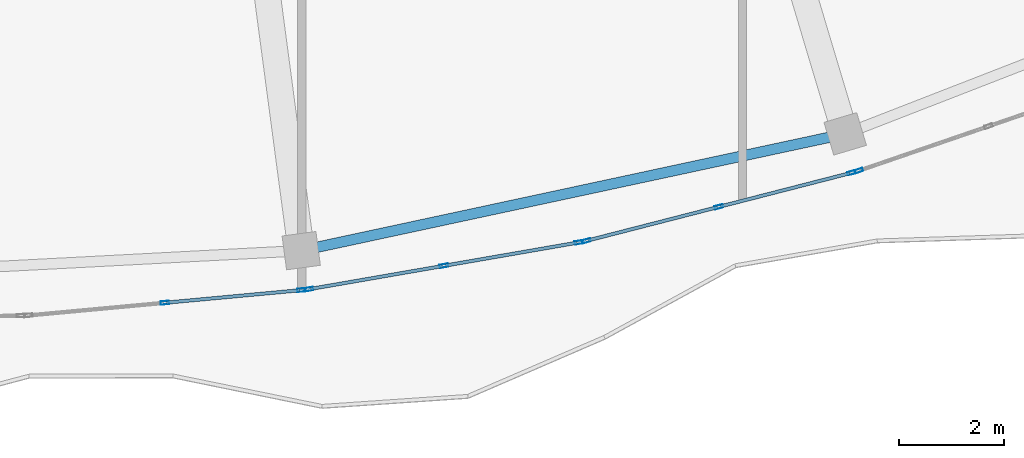
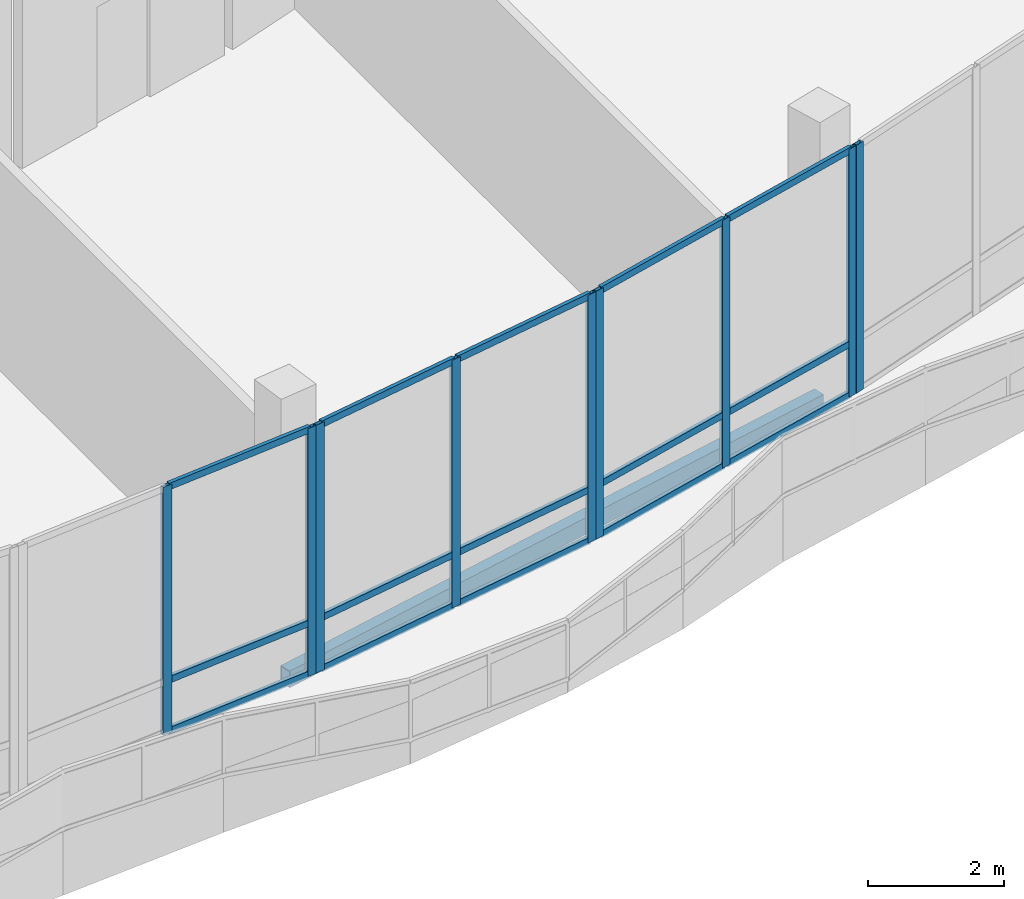
# One storey, part 22 of 155: 24 members, 1 beam, 4 elements without a shape of their own.
"""IFC4 building model written with IfcOpenShell, lengths in metres."""

from ifc_helpers import new_model, si_unit, direction, frame, origin, origin_2d, place, context, subcontext, project, spatial, hollow_rectangle, extrude, material, material_profile, profile_set, type_object, element, aggregate, save


model = new_model("IFC4")

# Units and contexts
model_context = context("Model", 3, precision=1e-05, world=origin(), true_north=direction((0.0, 1.0)))
body_context = subcontext(model_context, "Body", "Model", "MODEL_VIEW")
ifc_project = project(units=[si_unit("LENGTHUNIT", "METRE"), si_unit("AREAUNIT", "SQUARE_METRE"), si_unit("VOLUMEUNIT", "CUBIC_METRE"), si_unit("PLANEANGLEUNIT", "RADIAN"), si_unit("MASSUNIT", "GRAM", prefix="KILO")], contexts=[model_context])

# Site, building, storey
site_placement = place(None, origin())
site = spatial("IfcSite", under=ifc_project, at=site_placement, CompositionType="ELEMENT")
building_placement = place(site_placement, origin())
building = spatial("IfcBuilding", under=site, at=building_placement, Name="Selatvlak General Hospital", CompositionType="ELEMENT")
storey_placement = place(building_placement, frame((0.0, 0.0, 10.199951171875)))
storey = spatial("IfcBuildingStorey", under=building, at=storey_placement, Name="L02", CompositionType="ELEMENT", Elevation=10.199951171875)

# Beam
ifc_material_1 = material(Name="Steel S355", Category="steel")
ifc_material_profile_1 = material_profile(ifc_material_1, hollow_rectangle(XDim=0.199951171875, YDim=0.300048828125, WallThickness=0.011962890625, at=origin_2d()), Name="RHS 300x200x12")
ifc_profile_set_1 = profile_set([ifc_material_profile_1], Name="Steel S355")
beam_type = type_object("IfcBeamType", Name="BM-SP3", PredefinedType="SPANDREL", material=ifc_profile_set_1)
beam_placement = place(storey_placement, frame((64.7890625, 13.3310546875, -0.5048828125), z_axis=(0.977714375037, 0.209939517116, 0.0), x_axis=(-0.209939517116, 0.977714375037, 0.0)))
element("IfcBeam", 1, at=beam_placement, inside=storey, type_object=beam_type, Name="Beam BMR-L02-1142", PredefinedType="SPANDREL", context=body_context, shape_type="SweptSolid", body=[
    extrude(hollow_rectangle(XDim=0.199951171875, YDim=0.300048828125, WallThickness=0.011962890625, at=origin_2d()), origin(), (0.0, 0.0, 1.0), 10.602294921875),
])

# Curtain wall, member
ifc_material_2 = material(Name="Solar-control Low-E double glazing", Category="glass")
curtain_wall_type_1 = type_object("IfcCurtainWallType", Name="CW-CW-02", PredefinedType="USERDEFINED", material=ifc_material_2)
curtain_wall_1_placement = place(storey_placement, origin())
curtain_wall_1 = element("IfcCurtainWall", 2, at=curtain_wall_1_placement, inside=storey, type_object=curtain_wall_type_1, Name="Glazed facade curtain wall CW-L02-0302", ObjectType="UNITISED CURTAIN WALL", PredefinedType="USERDEFINED")
ifc_material_3 = material(Name="Dark anodised aluminium mullion", Category="aluminium")
ifc_material_profile_2 = material_profile(ifc_material_3, hollow_rectangle(XDim=0.06494140625, YDim=0.159912109375, WallThickness=0.00390625, at=origin_2d()), Name="AL-MUL 65x160x4")
ifc_profile_set_2 = profile_set([ifc_material_profile_2], Name="Dark anodised aluminium mullion")
member_type_1 = type_object("IfcMemberType", Name="CWM-01", PredefinedType="MULLION", material=ifc_profile_set_2)
member_1_placement = place(storey_placement, frame((75.415771484375, 14.8544921875, 0.0), z_axis=(0.0, 0.0, 1.0), x_axis=(0.324609481996, -0.945848129563, 0.0)))
member_1 = element("IfcMember", 3, at=member_1_placement, type_object=member_type_1, Name="CW-02 mullion 3", PredefinedType="MULLION", context=body_context, shape_type="SweptSolid", body=[
    extrude(hollow_rectangle(XDim=0.06494140625, YDim=0.159912109375, WallThickness=0.00390625, at=origin_2d()), origin(), (0.0, 0.0, 1.0), 4.4599609375),
])
aggregate(curtain_wall_1, [member_1])

# Curtain wall, members
curtain_wall_type_2 = type_object("IfcCurtainWallType", Name="CW-CW-01", PredefinedType="USERDEFINED", material=ifc_material_2)
curtain_wall_2_placement = place(storey_placement, origin())
curtain_wall_2 = element("IfcCurtainWall", 4, at=curtain_wall_2_placement, inside=storey, type_object=curtain_wall_type_2, Name="Glazed facade curtain wall CW-L02-0303", ObjectType="UNITISED CURTAIN WALL", PredefinedType="USERDEFINED")
member_2_placement = place(storey_placement, frame((75.276611328125, 14.81494140625, 0.0), z_axis=(0.0, 0.0, 1.0), x_axis=(0.248543854938, -0.968620644098, 0.0)))
member_2 = element("IfcMember", 5, at=member_2_placement, type_object=member_type_1, Name="CW-01 mullion 1", PredefinedType="MULLION", context=body_context, shape_type="SweptSolid", body=[
    extrude(hollow_rectangle(XDim=0.06494140625, YDim=0.159912109375, WallThickness=0.00390625, at=origin_2d()), origin(), (0.0, 0.0, 1.0), 4.4599609375),
])
member_3_placement = place(storey_placement, frame((72.74951171875, 14.16650390625, 0.0), z_axis=(0.0, 0.0, 1.0), x_axis=(0.248543854938, -0.968620644098, 0.0)))
member_3 = element("IfcMember", 6, at=member_3_placement, type_object=member_type_1, Name="CW-01 mullion 2", PredefinedType="MULLION", context=body_context, shape_type="SweptSolid", body=[
    extrude(hollow_rectangle(XDim=0.06494140625, YDim=0.159912109375, WallThickness=0.00390625, at=origin_2d()), origin(), (0.0, 0.0, 1.0), 4.4599609375),
])
member_4_placement = place(storey_placement, frame((70.222412109375, 13.51806640625, 0.0), z_axis=(0.0, 0.0, 1.0), x_axis=(0.248543854938, -0.968620644098, 0.0)))
member_4 = element("IfcMember", 7, at=member_4_placement, type_object=member_type_1, Name="CW-01 mullion 3", PredefinedType="MULLION", context=body_context, shape_type="SweptSolid", body=[
    extrude(hollow_rectangle(XDim=0.06494140625, YDim=0.159912109375, WallThickness=0.00390625, at=origin_2d()), origin(), (0.0, 0.0, 1.0), 4.4599609375),
])

curtain_wall_3_placement = place(storey_placement, origin())
curtain_wall_3 = element("IfcCurtainWall", 8, at=curtain_wall_3_placement, inside=storey, type_object=curtain_wall_type_1, Name="Glazed facade curtain wall CW-L02-0304", ObjectType="UNITISED CURTAIN WALL", PredefinedType="USERDEFINED")
member_5_placement = place(storey_placement, frame((70.080078125, 13.488525390625, 0.0), z_axis=(0.0, 0.0, 1.0), x_axis=(0.170838151242, -0.985299104881, 0.0)))
member_5 = element("IfcMember", 9, at=member_5_placement, type_object=member_type_1, Name="CW-02 mullion 1", PredefinedType="MULLION", context=body_context, shape_type="SweptSolid", body=[
    extrude(hollow_rectangle(XDim=0.06494140625, YDim=0.159912109375, WallThickness=0.00390625, at=origin_2d()), origin(), (0.0, 0.0, 1.0), 4.4599609375),
])
member_6_placement = place(storey_placement, frame((67.508056640625, 13.04248046875, 0.0), z_axis=(0.0, 0.0, 1.0), x_axis=(0.170838151242, -0.985299104881, 0.0)))
member_6 = element("IfcMember", 10, at=member_6_placement, type_object=member_type_1, Name="CW-02 mullion 2", PredefinedType="MULLION", context=body_context, shape_type="SweptSolid", body=[
    extrude(hollow_rectangle(XDim=0.06494140625, YDim=0.159912109375, WallThickness=0.00390625, at=origin_2d()), origin(), (0.0, 0.0, 1.0), 4.4599609375),
])
member_7_placement = place(storey_placement, frame((64.93603515625, 12.596435546875, 0.0), z_axis=(0.0, 0.0, 1.0), x_axis=(0.170838151242, -0.985299104881, 0.0)))
member_7 = element("IfcMember", 11, at=member_7_placement, type_object=member_type_1, Name="CW-02 mullion 3", PredefinedType="MULLION", context=body_context, shape_type="SweptSolid", body=[
    extrude(hollow_rectangle(XDim=0.06494140625, YDim=0.159912109375, WallThickness=0.00390625, at=origin_2d()), origin(), (0.0, 0.0, 1.0), 4.4599609375),
])

curtain_wall_4_placement = place(storey_placement, origin())
curtain_wall_4 = element("IfcCurtainWall", 12, at=curtain_wall_4_placement, inside=storey, type_object=curtain_wall_type_2, Name="Glazed facade curtain wall CW-L02-0305", ObjectType="UNITISED CURTAIN WALL", PredefinedType="USERDEFINED")
member_8_placement = place(storey_placement, frame((64.791748046875, 12.5791015625, 0.0), z_axis=(0.0, 0.0, 1.0), x_axis=(0.092291967773, -0.995731988381, 0.0)))
member_8 = element("IfcMember", 13, at=member_8_placement, type_object=member_type_1, Name="CW-01 mullion 1", PredefinedType="MULLION", context=body_context, shape_type="SweptSolid", body=[
    extrude(hollow_rectangle(XDim=0.06494140625, YDim=0.159912109375, WallThickness=0.00390625, at=origin_2d()), origin(), (0.0, 0.0, 1.0), 4.4599609375),
])
member_9_placement = place(storey_placement, frame((62.19140625, 12.337890625, 0.0), z_axis=(0.0, 0.0, 1.0), x_axis=(0.092291967773, -0.995731988381, 0.0)))
member_9 = element("IfcMember", 14, at=member_9_placement, type_object=member_type_1, Name="CW-01 mullion 2", PredefinedType="MULLION", context=body_context, shape_type="SweptSolid", body=[
    extrude(hollow_rectangle(XDim=0.06494140625, YDim=0.159912109375, WallThickness=0.00390625, at=origin_2d()), origin(), (0.0, 0.0, 1.0), 4.4599609375),
])

# Member
ifc_material_profile_3 = material_profile(ifc_material_3, hollow_rectangle(XDim=0.06494140625, YDim=0.1201171875, WallThickness=0.00390625, at=origin_2d()), Name="AL-TRN 65x120x4")
ifc_profile_set_3 = profile_set([ifc_material_profile_3], Name="Dark anodised aluminium mullion")
member_type_2 = type_object("IfcMemberType", Name="CWT-01", PredefinedType="USERDEFINED", material=ifc_profile_set_3)
member_10_placement = place(storey_placement, frame((75.2451171875, 14.806884765625, 0.032470703125), z_axis=(-0.968616485503, -0.248560061176, 0.0), x_axis=(0.248560061176, -0.968616485503, 0.0)))
member_10 = element("IfcMember", 15, at=member_10_placement, type_object=member_type_2, Name="CW-01 transom 1.1", ObjectType="TRANSOM", PredefinedType="USERDEFINED", context=body_context, shape_type="SweptSolid", body=[
    extrude(hollow_rectangle(XDim=0.06494140625, YDim=0.1201171875, WallThickness=0.00390625, at=origin_2d()), origin(), (0.0, 0.0, 1.0), 2.5439453125),
])

member_11_placement = place(storey_placement, frame((75.2451171875, 14.806884765625, 0.949951171875), z_axis=(-0.968616485503, -0.248560061176, 0.0), x_axis=(0.248560061176, -0.968616485503, 0.0)))
member_11 = element("IfcMember", 16, at=member_11_placement, type_object=member_type_2, Name="CW-01 transom 1.2", ObjectType="TRANSOM", PredefinedType="USERDEFINED", context=body_context, shape_type="SweptSolid", body=[
    extrude(hollow_rectangle(XDim=0.06494140625, YDim=0.1201171875, WallThickness=0.00390625, at=origin_2d()), origin(), (0.0, 0.0, 1.0), 2.5439453125),
])

member_12_placement = place(storey_placement, frame((75.2451171875, 14.806884765625, 4.427490234375), z_axis=(-0.968616485503, -0.248560061176, 0.0), x_axis=(0.248560061176, -0.968616485503, 0.0)))
member_12 = element("IfcMember", 17, at=member_12_placement, type_object=member_type_2, Name="CW-01 transom 1.3", ObjectType="TRANSOM", PredefinedType="USERDEFINED", context=body_context, shape_type="SweptSolid", body=[
    extrude(hollow_rectangle(XDim=0.06494140625, YDim=0.1201171875, WallThickness=0.00390625, at=origin_2d()), origin(), (0.0, 0.0, 1.0), 2.5439453125),
])

member_13_placement = place(storey_placement, frame((72.718017578125, 14.158447265625, 0.032470703125), z_axis=(-0.968616485503, -0.248560061176, 0.0), x_axis=(0.248560061176, -0.968616485503, 0.0)))
member_13 = element("IfcMember", 18, at=member_13_placement, type_object=member_type_2, Name="CW-01 transom 2.1", ObjectType="TRANSOM", PredefinedType="USERDEFINED", context=body_context, shape_type="SweptSolid", body=[
    extrude(hollow_rectangle(XDim=0.06494140625, YDim=0.1201171875, WallThickness=0.00390625, at=origin_2d()), origin(), (0.0, 0.0, 1.0), 2.5439453125),
])

member_14_placement = place(storey_placement, frame((72.718017578125, 14.158447265625, 0.949951171875), z_axis=(-0.968616485503, -0.248560061176, 0.0), x_axis=(0.248560061176, -0.968616485503, 0.0)))
member_14 = element("IfcMember", 19, at=member_14_placement, type_object=member_type_2, Name="CW-01 transom 2.2", ObjectType="TRANSOM", PredefinedType="USERDEFINED", context=body_context, shape_type="SweptSolid", body=[
    extrude(hollow_rectangle(XDim=0.06494140625, YDim=0.1201171875, WallThickness=0.00390625, at=origin_2d()), origin(), (0.0, 0.0, 1.0), 2.5439453125),
])

member_15_placement = place(storey_placement, frame((72.718017578125, 14.158447265625, 4.427490234375), z_axis=(-0.968616485503, -0.248560061176, 0.0), x_axis=(0.248560061176, -0.968616485503, 0.0)))
member_15 = element("IfcMember", 20, at=member_15_placement, type_object=member_type_2, Name="CW-01 transom 2.3", ObjectType="TRANSOM", PredefinedType="USERDEFINED", context=body_context, shape_type="SweptSolid", body=[
    extrude(hollow_rectangle(XDim=0.06494140625, YDim=0.1201171875, WallThickness=0.00390625, at=origin_2d()), origin(), (0.0, 0.0, 1.0), 2.5439453125),
])

aggregate(curtain_wall_2, [member_2, member_3, member_4, member_10, member_11, member_12, member_13, member_14, member_15])

member_16_placement = place(storey_placement, frame((70.0478515625, 13.48291015625, 0.032470703125), z_axis=(-0.985299625716, -0.170835147333, 0.0), x_axis=(0.170835147333, -0.985299625716, 0.0)))
member_16 = element("IfcMember", 21, at=member_16_placement, type_object=member_type_2, Name="CW-02 transom 1.1", ObjectType="TRANSOM", PredefinedType="USERDEFINED", context=body_context, shape_type="SweptSolid", body=[
    extrude(hollow_rectangle(XDim=0.06494140625, YDim=0.1201171875, WallThickness=0.00390625, at=origin_2d()), origin(), (0.0, 0.0, 1.0), 2.545166015625),
])

member_17_placement = place(storey_placement, frame((70.0478515625, 13.48291015625, 0.949951171875), z_axis=(-0.985299625716, -0.170835147333, 0.0), x_axis=(0.170835147333, -0.985299625716, 0.0)))
member_17 = element("IfcMember", 22, at=member_17_placement, type_object=member_type_2, Name="CW-02 transom 1.2", ObjectType="TRANSOM", PredefinedType="USERDEFINED", context=body_context, shape_type="SweptSolid", body=[
    extrude(hollow_rectangle(XDim=0.06494140625, YDim=0.1201171875, WallThickness=0.00390625, at=origin_2d()), origin(), (0.0, 0.0, 1.0), 2.545166015625),
])

member_18_placement = place(storey_placement, frame((70.0478515625, 13.48291015625, 4.427490234375), z_axis=(-0.985299625716, -0.170835147333, 0.0), x_axis=(0.170835147333, -0.985299625716, 0.0)))
member_18 = element("IfcMember", 23, at=member_18_placement, type_object=member_type_2, Name="CW-02 transom 1.3", ObjectType="TRANSOM", PredefinedType="USERDEFINED", context=body_context, shape_type="SweptSolid", body=[
    extrude(hollow_rectangle(XDim=0.06494140625, YDim=0.1201171875, WallThickness=0.00390625, at=origin_2d()), origin(), (0.0, 0.0, 1.0), 2.545166015625),
])

member_19_placement = place(storey_placement, frame((67.47607421875, 13.036865234375, 0.032470703125), z_axis=(-0.985302424737, -0.170819003062, 0.0), x_axis=(0.170819003062, -0.985302424737, 0.0)))
member_19 = element("IfcMember", 24, at=member_19_placement, type_object=member_type_2, Name="CW-02 transom 2.1", ObjectType="TRANSOM", PredefinedType="USERDEFINED", context=body_context, shape_type="SweptSolid", body=[
    extrude(hollow_rectangle(XDim=0.06494140625, YDim=0.1201171875, WallThickness=0.00390625, at=origin_2d()), origin(), (0.0, 0.0, 1.0), 2.54541015625),
])

member_20_placement = place(storey_placement, frame((67.47607421875, 13.036865234375, 0.949951171875), z_axis=(-0.985302424737, -0.170819003062, 0.0), x_axis=(0.170819003062, -0.985302424737, 0.0)))
member_20 = element("IfcMember", 25, at=member_20_placement, type_object=member_type_2, Name="CW-02 transom 2.2", ObjectType="TRANSOM", PredefinedType="USERDEFINED", context=body_context, shape_type="SweptSolid", body=[
    extrude(hollow_rectangle(XDim=0.06494140625, YDim=0.1201171875, WallThickness=0.00390625, at=origin_2d()), origin(), (0.0, 0.0, 1.0), 2.54541015625),
])

member_21_placement = place(storey_placement, frame((67.47607421875, 13.036865234375, 4.427490234375), z_axis=(-0.985302424737, -0.170819003062, 0.0), x_axis=(0.170819003062, -0.985302424737, 0.0)))
member_21 = element("IfcMember", 26, at=member_21_placement, type_object=member_type_2, Name="CW-02 transom 2.3", ObjectType="TRANSOM", PredefinedType="USERDEFINED", context=body_context, shape_type="SweptSolid", body=[
    extrude(hollow_rectangle(XDim=0.06494140625, YDim=0.1201171875, WallThickness=0.00390625, at=origin_2d()), origin(), (0.0, 0.0, 1.0), 2.54541015625),
])

aggregate(curtain_wall_3, [member_5, member_6, member_7, member_16, member_17, member_18, member_19, member_20, member_21])

member_22_placement = place(storey_placement, frame((64.75927734375, 12.575927734375, 0.032470703125), z_axis=(-0.995736924013, -0.092238702061, 0.0), x_axis=(0.092238702061, -0.995736924013, 0.0)))
member_22 = element("IfcMember", 27, at=member_22_placement, type_object=member_type_2, Name="CW-01 transom 1.1", ObjectType="TRANSOM", PredefinedType="USERDEFINED", context=body_context, shape_type="SweptSolid", body=[
    extrude(hollow_rectangle(XDim=0.06494140625, YDim=0.1201171875, WallThickness=0.00390625, at=origin_2d()), origin(), (0.0, 0.0, 1.0), 2.546142578125),
])

member_23_placement = place(storey_placement, frame((64.75927734375, 12.575927734375, 0.949951171875), z_axis=(-0.995736924013, -0.092238702061, 0.0), x_axis=(0.092238702061, -0.995736924013, 0.0)))
member_23 = element("IfcMember", 28, at=member_23_placement, type_object=member_type_2, Name="CW-01 transom 1.2", ObjectType="TRANSOM", PredefinedType="USERDEFINED", context=body_context, shape_type="SweptSolid", body=[
    extrude(hollow_rectangle(XDim=0.06494140625, YDim=0.1201171875, WallThickness=0.00390625, at=origin_2d()), origin(), (0.0, 0.0, 1.0), 2.546142578125),
])

member_24_placement = place(storey_placement, frame((64.75927734375, 12.575927734375, 4.427490234375), z_axis=(-0.995736924013, -0.092238702061, 0.0), x_axis=(0.092238702061, -0.995736924013, 0.0)))
member_24 = element("IfcMember", 29, at=member_24_placement, type_object=member_type_2, Name="CW-01 transom 1.3", ObjectType="TRANSOM", PredefinedType="USERDEFINED", context=body_context, shape_type="SweptSolid", body=[
    extrude(hollow_rectangle(XDim=0.06494140625, YDim=0.1201171875, WallThickness=0.00390625, at=origin_2d()), origin(), (0.0, 0.0, 1.0), 2.546142578125),
])

aggregate(curtain_wall_4, [member_8, member_9, member_22, member_23, member_24])

save(model, "model.ifc")
